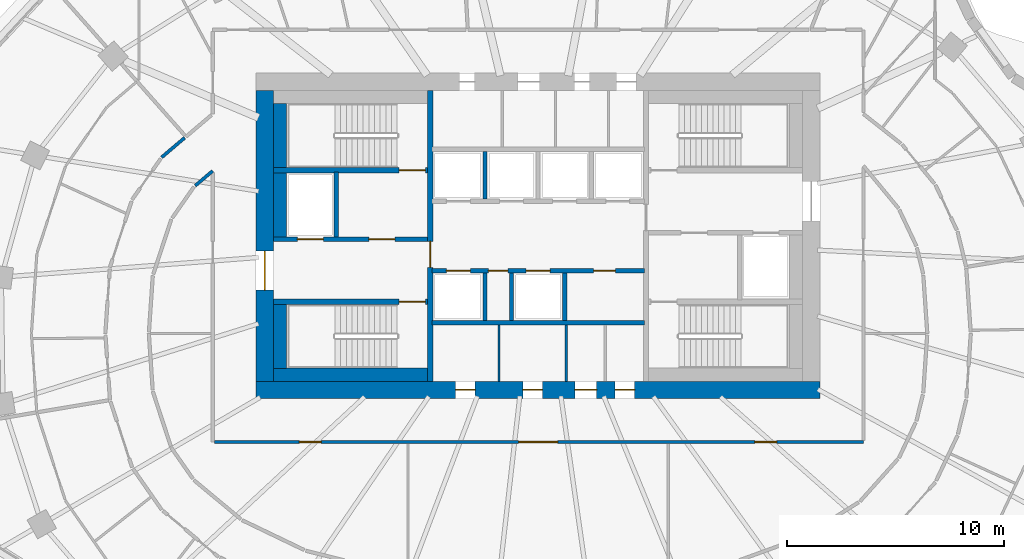
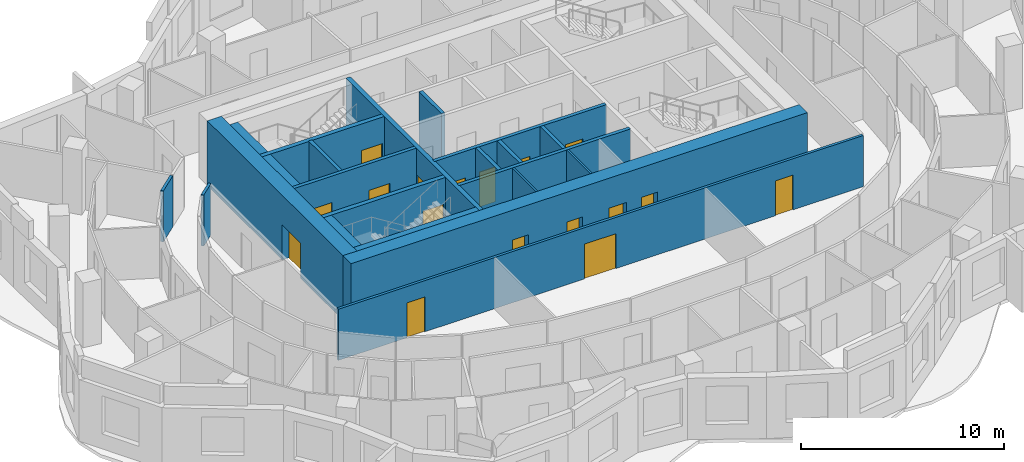
# One storey, part 5 of 12: 22 walls, 17 doors, 17 openings.
"""IFC4 building model written with IfcOpenShell, lengths in metres."""

from ifc_helpers import new_model, si_unit, direction, frame, frame_2d, origin, place, context, subcontext, project, spatial, rectangle, extrude, material, layer, layer_set, type_object, element, fill, save


model = new_model("IFC4")

# Units and contexts
model_context = context("Model", 3, precision=1e-05, world=origin(), true_north=direction((0.0, 1.0)))
body_context = subcontext(model_context, "Body", "Model", "MODEL_VIEW")
ifc_project = project(units=[si_unit("LENGTHUNIT", "METRE"), si_unit("AREAUNIT", "SQUARE_METRE"), si_unit("VOLUMEUNIT", "CUBIC_METRE"), si_unit("PLANEANGLEUNIT", "RADIAN"), si_unit("MASSUNIT", "GRAM", prefix="KILO")], contexts=[model_context])

# Site, building, storey
site_placement = place(None, origin())
site = spatial("IfcSite", under=ifc_project, at=site_placement, CompositionType="ELEMENT")
building_placement = place(site_placement, origin())
building = spatial("IfcBuilding", under=site, at=building_placement, Name="Rubra Terraces Tower", CompositionType="ELEMENT")
storey_placement = place(building_placement, frame((0.0, 0.0, 201.300048828125)))
storey = spatial("IfcBuildingStorey", under=building, at=storey_placement, Name="L49", CompositionType="ELEMENT", Elevation=201.300048828125)

# Wall, openings, doors
ifc_material_1 = material(Name="Concrete C50", Category="concrete")
ifc_layer_1 = layer(ifc_material_1, 0.800048828125)
ifc_layer_set_1 = layer_set([ifc_layer_1], Name="Concrete C50")
wall_type_1 = type_object("IfcWallType", Name="CORE WALL 800 C50", PredefinedType="SHEAR", material=ifc_layer_set_1)
wall_1_placement = place(storey_placement, frame((-13.0, -2.60009765625, 0.0), z_axis=(0.0, 0.0, 1.0), x_axis=(1.0, 0.0, 0.0)))
wall_1 = element("IfcWall", 1, at=wall_1_placement, inside=storey, type_object=wall_type_1, Name="CORE WALL S L49", PredefinedType="SHEAR", context=body_context, shape_type="SweptSolid", body=[
    extrude(rectangle(XDim=26.0, YDim=0.800048828125, at=frame_2d((13.0, 0.0))), origin(), (0.0, 0.0, 1.0), 3.89990234375),
])
opening_1_placement = place(wall_1_placement, frame((9.199951171875, 0.0, 0.0)))
opening_1 = element("IfcOpeningElement", 2, at=opening_1_placement, cuts=wall_1, Name="Opening L49.C21", PredefinedType="OPENING", context=body_context, shape_type="SweptSolid", body=[
    extrude(rectangle(XDim=0.89990234375, YDim=2.10009765625, at=frame_2d((0.449951171875, 1.050048828125))), frame((0.0, 0.409912109375, 0.0), z_axis=(0.0, -1.0, 0.0), x_axis=(1.0, 0.0, 0.0)), (0.0, 0.0, 1.0), 0.820068359375),
])
opening_2_placement = place(wall_1_placement, frame((12.300048828125, 0.0, 0.0)))
opening_2 = element("IfcOpeningElement", 3, at=opening_2_placement, cuts=wall_1, Name="Opening L49.C22", PredefinedType="OPENING", context=body_context, shape_type="SweptSolid", body=[
    extrude(rectangle(XDim=0.89990234375, YDim=2.10009765625, at=frame_2d((0.449951171875, 1.050048828125))), frame((0.0, 0.409912109375, 0.0), z_axis=(0.0, -1.0, 0.0), x_axis=(1.0, 0.0, 0.0)), (0.0, 0.0, 1.0), 0.820068359375),
])
opening_3_placement = place(wall_1_placement, frame((14.699951171875, 0.0, 0.0)))
opening_3 = element("IfcOpeningElement", 4, at=opening_3_placement, cuts=wall_1, Name="Opening L49.C23", PredefinedType="OPENING", context=body_context, shape_type="SweptSolid", body=[
    extrude(rectangle(XDim=1.0, YDim=2.10009765625, at=frame_2d((0.5, 1.050048828125))), frame((0.0, 0.409912109375, 0.0), z_axis=(0.0, -1.0, 0.0), x_axis=(1.0, 0.0, 0.0)), (0.0, 0.0, 1.0), 0.820068359375),
])
opening_4_placement = place(wall_1_placement, frame((16.550048828125, 0.0, 0.0)))
opening_4 = element("IfcOpeningElement", 5, at=opening_4_placement, cuts=wall_1, Name="Opening L49.C24", PredefinedType="OPENING", context=body_context, shape_type="SweptSolid", body=[
    extrude(rectangle(XDim=0.89990234375, YDim=2.10009765625, at=frame_2d((0.449951171875, 1.050048828125))), frame((0.0, 0.409912109375, 0.0), z_axis=(0.0, -1.0, 0.0), x_axis=(1.0, 0.0, 0.0)), (0.0, 0.0, 1.0), 0.820068359375),
])
ifc_material_2 = material(Name="Painted steel", Category="steel")
door_type_1 = type_object("IfcDoorType", Name="Fire door 1000x2100 single", OperationType="NOTDEFINED", PredefinedType="DOOR", material=ifc_material_2)
door_1_placement = place(opening_3_placement, origin())
door_1 = element("IfcDoor", 6, at=door_1_placement, inside=storey, type_object=door_type_1, Name="Accessible WC door", OperationType="SINGLE_SWING_LEFT", OverallHeight=2.10009765625, OverallWidth=1.0, PredefinedType="DOOR", context=body_context, shape_type="SweptSolid", body=[
    extrude(rectangle(XDim=1.0, YDim=2.10009765625, at=frame_2d((0.5, 1.050048828125))), frame((0.0, 0.02490234375, 0.0), z_axis=(0.0, -1.0, 0.0), x_axis=(1.0, 0.0, 0.0)), (0.0, 0.0, 1.0), 0.050048828125),
])
fill(opening_3, door_1)
door_type_2 = type_object("IfcDoorType", Name="Fire door 900x2100 single", OperationType="NOTDEFINED", PredefinedType="DOOR", material=ifc_material_2)
door_2_placement = place(opening_1_placement, origin())
door_2 = element("IfcDoor", 7, at=door_2_placement, inside=storey, type_object=door_type_2, Name="Gents WC door", OperationType="SINGLE_SWING_LEFT", OverallHeight=2.10009765625, OverallWidth=0.89990234375, PredefinedType="DOOR", context=body_context, shape_type="SweptSolid", body=[
    extrude(rectangle(XDim=0.89990234375, YDim=2.10009765625, at=frame_2d((0.449951171875, 1.050048828125))), frame((0.0, 0.02490234375, 0.0), z_axis=(0.0, -1.0, 0.0), x_axis=(1.0, 0.0, 0.0)), (0.0, 0.0, 1.0), 0.050048828125),
])
fill(opening_1, door_2)
door_3_placement = place(opening_2_placement, origin())
door_3 = element("IfcDoor", 8, at=door_3_placement, inside=storey, type_object=door_type_2, Name="Ladies WC door", OperationType="SINGLE_SWING_RIGHT", OverallHeight=2.10009765625, OverallWidth=0.89990234375, PredefinedType="DOOR", context=body_context, shape_type="SweptSolid", body=[
    extrude(rectangle(XDim=0.89990234375, YDim=2.10009765625, at=frame_2d((0.449951171875, 1.050048828125))), frame((0.0, 0.02490234375, 0.0), z_axis=(0.0, -1.0, 0.0), x_axis=(1.0, 0.0, 0.0)), (0.0, 0.0, 1.0), 0.050048828125),
])
fill(opening_2, door_3)
door_4_placement = place(opening_4_placement, origin())
door_4 = element("IfcDoor", 9, at=door_4_placement, inside=storey, type_object=door_type_2, Name="Cleaner's store door", OperationType="SINGLE_SWING_RIGHT", OverallHeight=2.10009765625, OverallWidth=0.89990234375, PredefinedType="DOOR", context=body_context, shape_type="SweptSolid", body=[
    extrude(rectangle(XDim=0.89990234375, YDim=2.10009765625, at=frame_2d((0.449951171875, 1.050048828125))), frame((0.0, 0.02490234375, 0.0), z_axis=(0.0, -1.0, 0.0), x_axis=(1.0, 0.0, 0.0)), (0.0, 0.0, 1.0), 0.050048828125),
])
fill(opening_4, door_4)

# Wall, opening, door
wall_2_placement = place(storey_placement, frame((-12.60009765625, -2.199951171875, 0.0), z_axis=(0.0, 0.0, 1.0), x_axis=(0.0, 1.0, 0.0)))
wall_2 = element("IfcWall", 10, at=wall_2_placement, inside=storey, type_object=wall_type_1, Name="CORE WALL W L49", PredefinedType="SHEAR", context=body_context, shape_type="SweptSolid", body=[
    extrude(rectangle(XDim=13.39990234375, YDim=0.800048828125, at=frame_2d((6.699951171875, 0.0))), origin(), (0.0, 0.0, 1.0), 3.89990234375),
])
opening_5_placement = place(wall_2_placement, frame((4.199951171875, 0.0, 0.0)))
opening_5 = element("IfcOpeningElement", 11, at=opening_5_placement, cuts=wall_2, Name="Opening L49.C01", PredefinedType="OPENING", context=body_context, shape_type="SweptSolid", body=[
    extrude(rectangle(XDim=1.800048828125, YDim=2.10009765625, at=frame_2d((0.89990234375, 1.050048828125))), frame((0.0, 0.409912109375, 0.0), z_axis=(0.0, -1.0, 0.0), x_axis=(1.0, 0.0, 0.0)), (0.0, 0.0, 1.0), 0.820068359375),
])
door_type_3 = type_object("IfcDoorType", Name="Fire door 1800x2100 double", OperationType="NOTDEFINED", PredefinedType="DOOR", material=ifc_material_2)
door_5_placement = place(opening_5_placement, origin())
door_5 = element("IfcDoor", 12, at=door_5_placement, inside=storey, type_object=door_type_3, Name="Core entrance door FF1", OperationType="DOUBLE_DOOR_SINGLE_SWING", OverallHeight=2.10009765625, OverallWidth=1.800048828125, PredefinedType="DOOR", context=body_context, shape_type="SweptSolid", body=[
    extrude(rectangle(XDim=1.800048828125, YDim=2.10009765625, at=frame_2d((0.89990234375, 1.050048828125))), frame((0.0, 0.02490234375, 0.0), z_axis=(0.0, -1.0, 0.0), x_axis=(1.0, 0.0, 0.0)), (0.0, 0.0, 1.0), 0.050048828125),
])
fill(opening_5, door_5)

# Walls
ifc_material_3 = material(Name="Plasterboard on steel stud, mineral wool infill", Category="steel")
ifc_layer_2 = layer(ifc_material_3, 0.14990234375)
ifc_layer_set_2 = layer_set([ifc_layer_2], Name="Plasterboard on steel stud, mineral wool infill")
wall_type_2 = type_object("IfcWallType", Name="CORRIDOR PARTITION 150", PredefinedType="PARTITIONING", material=ifc_layer_set_2)
wall_3_placement = place(storey_placement, frame((-16.2900390625, 9.026611328125, 0.0), z_axis=(0.0, 0.0, 1.0), x_axis=(-0.762370577706, -0.647140712865, 0.0)))
element("IfcWall", 13, at=wall_3_placement, inside=storey, type_object=wall_type_2, Name="PARTITION", PredefinedType="PARTITIONING", context=body_context, shape_type="SweptSolid", body=[
    extrude(rectangle(XDim=1.396240234375, YDim=0.14990234375, at=frame_2d((0.6982421875, 0.0))), origin(), (0.0, 0.0, 1.0), 3.083984375),
])
wall_4_placement = place(storey_placement, frame((-15.805419921875, 6.814453125, 0.0), z_axis=(0.0, 0.0, 1.0), x_axis=(0.762298381233, 0.647225755027, 0.0)))
element("IfcWall", 14, at=wall_4_placement, inside=storey, type_object=wall_type_2, Name="PARTITION", PredefinedType="PARTITIONING", context=body_context, shape_type="SweptSolid", body=[
    extrude(rectangle(XDim=1.056640625, YDim=0.14990234375, at=frame_2d((0.5283203125, 0.0))), origin(), (0.0, 0.0, 1.0), 3.083984375),
])

# Wall, openings, doors
wall_5_placement = place(storey_placement, frame((-14.925048828125, -5.0, 0.0), z_axis=(0.0, 0.0, 1.0), x_axis=(1.0, 0.0, 0.0)))
wall_5 = element("IfcWall", 15, at=wall_5_placement, inside=storey, type_object=wall_type_2, Name="PARTITION", PredefinedType="PARTITIONING", context=body_context, shape_type="SweptSolid", body=[
    extrude(rectangle(XDim=29.925048828125, YDim=0.14990234375, at=frame_2d((14.96240234375, 0.0))), origin(), (0.0, 0.0, 1.0), 3.083984375),
])
opening_6_placement = place(wall_5_placement, frame((3.925048828125, 0.0, 0.0)))
opening_6 = element("IfcOpeningElement", 16, at=opening_6_placement, cuts=wall_5, Name="Opening 49-133", PredefinedType="OPENING", context=body_context, shape_type="SweptSolid", body=[
    extrude(rectangle(XDim=1.0, YDim=2.10009765625, at=frame_2d((0.5, 1.050048828125))), frame((0.0, 0.0849609375, 0.0), z_axis=(0.0, -1.0, 0.0), x_axis=(1.0, 0.0, 0.0)), (0.0, 0.0, 1.0), 0.169921875),
])
opening_7_placement = place(wall_5_placement, frame((14.02490234375, 0.0, 0.0)))
opening_7 = element("IfcOpeningElement", 17, at=opening_7_placement, cuts=wall_5, Name="Opening 49-134", PredefinedType="OPENING", context=body_context, shape_type="SweptSolid", body=[
    extrude(rectangle(XDim=1.800048828125, YDim=2.10009765625, at=frame_2d((0.89990234375, 1.050048828125))), frame((0.0, 0.0849609375, 0.0), z_axis=(0.0, -1.0, 0.0), x_axis=(1.0, 0.0, 0.0)), (0.0, 0.0, 1.0), 0.169921875),
])
opening_8_placement = place(wall_5_placement, frame((24.925048828125, 0.0, 0.0)))
opening_8 = element("IfcOpeningElement", 18, at=opening_8_placement, cuts=wall_5, Name="Opening 49-135", PredefinedType="OPENING", context=body_context, shape_type="SweptSolid", body=[
    extrude(rectangle(XDim=1.0, YDim=2.10009765625, at=frame_2d((0.5, 1.050048828125))), frame((0.0, 0.0849609375, 0.0), z_axis=(0.0, -1.0, 0.0), x_axis=(1.0, 0.0, 0.0)), (0.0, 0.0, 1.0), 0.169921875),
])
ifc_material_4 = material(Name="Painted timber door leaf", Category="wood")
door_type_4 = type_object("IfcDoorType", Name="ROOM DOOR 1000 X 2100", OperationType="SINGLE_SWING_LEFT", PredefinedType="DOOR", material=ifc_material_4)
door_6_placement = place(opening_6_placement, origin())
door_6 = element("IfcDoor", 19, at=door_6_placement, inside=storey, type_object=door_type_4, Name="DOOR 49-133", OperationType="SINGLE_SWING_RIGHT", OverallHeight=2.10009765625, OverallWidth=1.0, PredefinedType="DOOR", context=body_context, shape_type="SweptSolid", body=[
    extrude(rectangle(XDim=1.0, YDim=2.10009765625, at=frame_2d((0.5, 1.050048828125))), frame((0.0, 0.02490234375, 0.0), z_axis=(0.0, -1.0, 0.0), x_axis=(1.0, 0.0, 0.0)), (0.0, 0.0, 1.0), 0.050048828125),
])
fill(opening_6, door_6)
door_7_placement = place(opening_8_placement, origin())
door_7 = element("IfcDoor", 20, at=door_7_placement, inside=storey, type_object=door_type_4, Name="DOOR 49-135", OperationType="SINGLE_SWING_RIGHT", OverallHeight=2.10009765625, OverallWidth=1.0, PredefinedType="DOOR", context=body_context, shape_type="SweptSolid", body=[
    extrude(rectangle(XDim=1.0, YDim=2.10009765625, at=frame_2d((0.5, 1.050048828125))), frame((0.0, 0.02490234375, 0.0), z_axis=(0.0, -1.0, 0.0), x_axis=(1.0, 0.0, 0.0)), (0.0, 0.0, 1.0), 0.050048828125),
])
fill(opening_8, door_7)
ifc_material_5 = material(Name="Painted timber door leaf, double", Category="wood")
door_type_5 = type_object("IfcDoorType", Name="ROOM DOUBLE DOOR 1800 X 2100", OperationType="DOUBLE_DOOR_SINGLE_SWING", PredefinedType="DOOR", material=ifc_material_5)
door_8_placement = place(opening_7_placement, origin())
door_8 = element("IfcDoor", 21, at=door_8_placement, inside=storey, type_object=door_type_5, Name="DOOR 49-134", OperationType="DOUBLE_DOOR_SINGLE_SWING", OverallHeight=2.10009765625, OverallWidth=1.800048828125, PredefinedType="DOOR", context=body_context, shape_type="SweptSolid", body=[
    extrude(rectangle(XDim=1.800048828125, YDim=2.10009765625, at=frame_2d((0.89990234375, 1.050048828125))), frame((0.0, 0.02490234375, 0.0), z_axis=(0.0, -1.0, 0.0), x_axis=(1.0, 0.0, 0.0)), (0.0, 0.0, 1.0), 0.050048828125),
])
fill(opening_7, door_8)

# Walls
ifc_material_6 = material(Name="Concrete C40", Category="concrete")
ifc_layer_3 = layer(ifc_material_6, 0.60009765625)
ifc_layer_set_3 = layer_set([ifc_layer_3], Name="Concrete C40")
wall_type_3 = type_object("IfcWallType", Name="Core lining wall 600 concrete", PredefinedType="SOLIDWALL", material=ifc_layer_set_3)
wall_6_placement = place(storey_placement, frame((-12.199951171875, -1.89990234375, 0.0), z_axis=(0.0, 0.0, 1.0), x_axis=(1.0, 0.0, 0.0)))
element("IfcWall", 22, at=wall_6_placement, inside=storey, type_object=wall_type_3, Name="CORE LINING WALL L49", PredefinedType="SOLIDWALL", context=body_context, shape_type="SweptSolid", body=[
    extrude(rectangle(XDim=7.099853515625, YDim=0.60009765625, at=frame_2d((3.5498046875, 0.0))), origin(), (0.0, 0.0, 1.0), 3.699951171875),
])
wall_7_placement = place(storey_placement, frame((-11.89990234375, -1.60009765625, 0.0), z_axis=(0.0, 0.0, 1.0), x_axis=(0.0, 1.0, 0.0)))
element("IfcWall", 23, at=wall_7_placement, inside=storey, type_object=wall_type_3, Name="CORE LINING WALL L49", PredefinedType="SOLIDWALL", context=body_context, shape_type="SweptSolid", body=[
    extrude(rectangle(XDim=2.9501953125, YDim=0.60009765625, at=frame_2d((1.47509765625, 0.0))), origin(), (0.0, 0.0, 1.0), 3.699951171875),
])
wall_8_placement = place(storey_placement, frame((-11.89990234375, 4.449951171875, 0.0), z_axis=(0.0, 0.0, 1.0), x_axis=(0.0, 1.0, 0.0)))
element("IfcWall", 24, at=wall_8_placement, inside=storey, type_object=wall_type_3, Name="CORE LINING WALL L49", PredefinedType="SOLIDWALL", context=body_context, shape_type="SweptSolid", body=[
    extrude(rectangle(XDim=3.0, YDim=0.60009765625, at=frame_2d((1.5, 0.0))), origin(), (0.0, 0.0, 1.0), 3.699951171875),
])
wall_9_placement = place(storey_placement, frame((-11.89990234375, 7.64990234375, 0.0), z_axis=(0.0, 0.0, 1.0), x_axis=(0.0, 1.0, 0.0)))
element("IfcWall", 25, at=wall_9_placement, inside=storey, type_object=wall_type_3, Name="CORE LINING WALL L49", PredefinedType="SOLIDWALL", context=body_context, shape_type="SweptSolid", body=[
    extrude(rectangle(XDim=2.9501953125, YDim=0.60009765625, at=frame_2d((1.47509765625, 0.0))), origin(), (0.0, 0.0, 1.0), 3.699951171875),
])

# Wall, openings, doors
ifc_material_7 = material(Name="Concrete C30", Category="concrete")
ifc_layer_4 = layer(ifc_material_7, 0.199951171875)
ifc_layer_set_4 = layer_set([ifc_layer_4], Name="Concrete C30")
wall_type_4 = type_object("IfcWallType", Name="Core wall 200 concrete", PredefinedType="SOLIDWALL", material=ifc_layer_set_4)
wall_10_placement = place(storey_placement, frame((-12.199951171875, 4.35009765625, 0.0), z_axis=(0.0, 0.0, 1.0), x_axis=(1.0, 0.0, 0.0)))
wall_10 = element("IfcWall", 26, at=wall_10_placement, inside=storey, type_object=wall_type_4, Name="STAIR WALL L49", PredefinedType="SOLIDWALL", context=body_context, shape_type="SweptSolid", body=[
    extrude(rectangle(XDim=7.099853515625, YDim=0.199951171875, at=frame_2d((3.5498046875, 0.0))), origin(), (0.0, 0.0, 1.0), 3.699951171875),
])
opening_9_placement = place(wall_10_placement, frame((4.39990234375, 0.0, 0.0)))
opening_9 = element("IfcOpeningElement", 27, at=opening_9_placement, cuts=wall_10, Name="Opening L49.C05", PredefinedType="OPENING", context=body_context, shape_type="SweptSolid", body=[
    extrude(rectangle(XDim=1.199951171875, YDim=2.10009765625, at=frame_2d((0.60009765625, 1.050048828125))), frame((0.0, 0.10986328125, 0.0), z_axis=(0.0, -1.0, 0.0), x_axis=(1.0, 0.0, 0.0)), (0.0, 0.0, 1.0), 0.219970703125),
])
opening_10_placement = place(wall_10_placement, frame((1.10009765625, 0.0, 0.0)))
opening_10 = element("IfcOpeningElement", 28, at=opening_10_placement, cuts=wall_10, Name="Opening L49.C11", PredefinedType="OPENING", context=body_context, shape_type="SweptSolid", body=[
    extrude(rectangle(XDim=1.199951171875, YDim=2.10009765625, at=frame_2d((0.60009765625, 1.050048828125))), frame((0.0, 0.10986328125, 0.0), z_axis=(0.0, -1.0, 0.0), x_axis=(1.0, 0.0, 0.0)), (0.0, 0.0, 1.0), 0.219970703125),
])
door_type_6 = type_object("IfcDoorType", Name="Fire door 1200x2100 single", OperationType="NOTDEFINED", PredefinedType="DOOR", material=ifc_material_2)
door_9_placement = place(opening_9_placement, origin())
door_9 = element("IfcDoor", 29, at=door_9_placement, inside=storey, type_object=door_type_6, Name="Stair vestibule door S2", OperationType="SINGLE_SWING_LEFT", OverallHeight=2.10009765625, OverallWidth=1.199951171875, PredefinedType="DOOR", context=body_context, shape_type="SweptSolid", body=[
    extrude(rectangle(XDim=1.199951171875, YDim=2.10009765625, at=frame_2d((0.60009765625, 1.050048828125))), frame((0.0, 0.02490234375, 0.0), z_axis=(0.0, -1.0, 0.0), x_axis=(1.0, 0.0, 0.0)), (0.0, 0.0, 1.0), 0.050048828125),
])
fill(opening_9, door_9)
ifc_material_8 = material(Name="Stainless steel", Category="steel")
door_type_7 = type_object("IfcDoorType", Name="Lift landing door 1200x2100", OperationType="NOTDEFINED", PredefinedType="DOOR", material=ifc_material_8)
door_10_placement = place(opening_10_placement, origin())
door_10 = element("IfcDoor", 30, at=door_10_placement, inside=storey, type_object=door_type_7, Name="Landing door FF1", OperationType="SLIDING_TO_RIGHT", OverallHeight=2.10009765625, OverallWidth=1.199951171875, PredefinedType="DOOR", context=body_context, shape_type="SweptSolid", body=[
    extrude(rectangle(XDim=1.199951171875, YDim=2.10009765625, at=frame_2d((0.60009765625, 1.050048828125))), frame((0.0, 0.02490234375, 0.0), z_axis=(0.0, -1.0, 0.0), x_axis=(1.0, 0.0, 0.0)), (0.0, 0.0, 1.0), 0.050048828125),
])
fill(opening_10, door_10)

# Walls
wall_11_placement = place(storey_placement, frame((-9.300048828125, 4.449951171875, 0.0), z_axis=(0.0, 0.0, 1.0), x_axis=(0.0, 1.0, 0.0)))
element("IfcWall", 31, at=wall_11_placement, inside=storey, type_object=wall_type_4, Name="STAIR WALL L49", PredefinedType="SOLIDWALL", context=body_context, shape_type="SweptSolid", body=[
    extrude(rectangle(XDim=3.0, YDim=0.199951171875, at=frame_2d((1.5, 0.0))), origin(), (0.0, 0.0, 1.0), 3.699951171875),
])
wall_12_placement = place(storey_placement, frame((-4.89990234375, 0.5, 0.0), z_axis=(0.0, 0.0, 1.0), x_axis=(1.0, 0.0, 0.0)))
element("IfcWall", 32, at=wall_12_placement, inside=storey, type_object=wall_type_4, Name="LIFT SHAFT WALL L49", PredefinedType="SOLIDWALL", context=body_context, shape_type="SweptSolid", body=[
    extrude(rectangle(XDim=9.7998046875, YDim=0.199951171875, at=frame_2d((4.89990234375, 0.0))), origin(), (0.0, 0.0, 1.0), 3.699951171875),
])

# Wall, openings, doors
wall_13_placement = place(storey_placement, frame((-4.89990234375, 2.89990234375, 0.0), z_axis=(0.0, 0.0, 1.0), x_axis=(1.0, 0.0, 0.0)))
wall_13 = element("IfcWall", 33, at=wall_13_placement, inside=storey, type_object=wall_type_4, Name="LIFT SHAFT WALL L49", PredefinedType="SOLIDWALL", context=body_context, shape_type="SweptSolid", body=[
    extrude(rectangle(XDim=9.7998046875, YDim=0.199951171875, at=frame_2d((4.89990234375, 0.0))), origin(), (0.0, 0.0, 1.0), 3.699951171875),
])
opening_11_placement = place(wall_13_placement, frame((0.675048828125, 0.0, 0.0)))
opening_11 = element("IfcOpeningElement", 34, at=opening_11_placement, cuts=wall_13, Name="Opening L49.C13", PredefinedType="OPENING", context=body_context, shape_type="SweptSolid", body=[
    extrude(rectangle(XDim=1.10009765625, YDim=2.10009765625, at=frame_2d((0.550048828125, 1.050048828125))), frame((0.0, 0.10986328125, 0.0), z_axis=(0.0, -1.0, 0.0), x_axis=(1.0, 0.0, 0.0)), (0.0, 0.0, 1.0), 0.219970703125),
])
opening_12_placement = place(wall_13_placement, frame((2.613037109375, 0.0, 0.0)))
opening_12 = element("IfcOpeningElement", 35, at=opening_12_placement, cuts=wall_13, Name="Opening L49.C14", PredefinedType="OPENING", context=body_context, shape_type="SweptSolid", body=[
    extrude(rectangle(XDim=0.89990234375, YDim=2.10009765625, at=frame_2d((0.449951171875, 1.050048828125))), frame((0.0, 0.10986328125, 0.0), z_axis=(0.0, -1.0, 0.0), x_axis=(1.0, 0.0, 0.0)), (0.0, 0.0, 1.0), 0.219970703125),
])
opening_13_placement = place(wall_13_placement, frame((4.35009765625, 0.0, 0.0)))
opening_13 = element("IfcOpeningElement", 36, at=opening_13_placement, cuts=wall_13, Name="Opening L49.C15", PredefinedType="OPENING", context=body_context, shape_type="SweptSolid", body=[
    extrude(rectangle(XDim=1.10009765625, YDim=2.10009765625, at=frame_2d((0.550048828125, 1.050048828125))), frame((0.0, 0.10986328125, 0.0), z_axis=(0.0, -1.0, 0.0), x_axis=(1.0, 0.0, 0.0)), (0.0, 0.0, 1.0), 0.219970703125),
])
opening_14_placement = place(wall_13_placement, frame((7.462890625, 0.0, 0.0)))
opening_14 = element("IfcOpeningElement", 37, at=opening_14_placement, cuts=wall_13, Name="Opening L49.C16", PredefinedType="OPENING", context=body_context, shape_type="SweptSolid", body=[
    extrude(rectangle(XDim=1.0, YDim=2.10009765625, at=frame_2d((0.5, 1.050048828125))), frame((0.0, 0.10986328125, 0.0), z_axis=(0.0, -1.0, 0.0), x_axis=(1.0, 0.0, 0.0)), (0.0, 0.0, 1.0), 0.219970703125),
])
door_11_placement = place(opening_14_placement, origin())
door_11 = element("IfcDoor", 38, at=door_11_placement, inside=storey, type_object=door_type_1, Name="Guest pantry door", OperationType="SINGLE_SWING_RIGHT", OverallHeight=2.10009765625, OverallWidth=1.0, PredefinedType="DOOR", context=body_context, shape_type="SweptSolid", body=[
    extrude(rectangle(XDim=1.0, YDim=2.10009765625, at=frame_2d((0.5, 1.050048828125))), frame((0.0, 0.02490234375, 0.0), z_axis=(0.0, -1.0, 0.0), x_axis=(1.0, 0.0, 0.0)), (0.0, 0.0, 1.0), 0.050048828125),
])
fill(opening_14, door_11)
door_12_placement = place(opening_12_placement, origin())
door_12 = element("IfcDoor", 39, at=door_12_placement, inside=storey, type_object=door_type_2, Name="Cleaner's store door", OperationType="SINGLE_SWING_RIGHT", OverallHeight=2.10009765625, OverallWidth=0.89990234375, PredefinedType="DOOR", context=body_context, shape_type="SweptSolid", body=[
    extrude(rectangle(XDim=0.89990234375, YDim=2.10009765625, at=frame_2d((0.449951171875, 1.050048828125))), frame((0.0, 0.02490234375, 0.0), z_axis=(0.0, -1.0, 0.0), x_axis=(1.0, 0.0, 0.0)), (0.0, 0.0, 1.0), 0.050048828125),
])
fill(opening_12, door_12)
door_type_8 = type_object("IfcDoorType", Name="Lift landing door 1100x2100", OperationType="NOTDEFINED", PredefinedType="DOOR", material=ifc_material_8)
door_13_placement = place(opening_11_placement, origin())
door_13 = element("IfcDoor", 40, at=door_13_placement, inside=storey, type_object=door_type_8, Name="Landing door HB1", OperationType="SLIDING_TO_RIGHT", OverallHeight=2.10009765625, OverallWidth=1.10009765625, PredefinedType="DOOR", context=body_context, shape_type="SweptSolid", body=[
    extrude(rectangle(XDim=1.10009765625, YDim=2.10009765625, at=frame_2d((0.550048828125, 1.050048828125))), frame((0.0, 0.02490234375, 0.0), z_axis=(0.0, -1.0, 0.0), x_axis=(1.0, 0.0, 0.0)), (0.0, 0.0, 1.0), 0.050048828125),
])
fill(opening_11, door_13)
door_14_placement = place(opening_13_placement, origin())
door_14 = element("IfcDoor", 41, at=door_14_placement, inside=storey, type_object=door_type_8, Name="Landing door HB2", OperationType="SLIDING_TO_LEFT", OverallHeight=2.10009765625, OverallWidth=1.10009765625, PredefinedType="DOOR", context=body_context, shape_type="SweptSolid", body=[
    extrude(rectangle(XDim=1.10009765625, YDim=2.10009765625, at=frame_2d((0.550048828125, 1.050048828125))), frame((0.0, 0.02490234375, 0.0), z_axis=(0.0, -1.0, 0.0), x_axis=(1.0, 0.0, 0.0)), (0.0, 0.0, 1.0), 0.050048828125),
])
fill(opening_13, door_14)

# Walls
for number, where, z_axis, x_axis, name in (
    (42, (-2.449951171875, 0.60009765625, 0.0), (0.0, 0.0, 1.0), (0.0, 1.0, 0.0), "LIFT SHAFT WALL L49"),
    (43, (-1.22509765625, 0.60009765625, 0.0), (0.0, 0.0, 1.0), (0.0, 1.0, 0.0), "LIFT SHAFT WALL L49"),
    (44, (1.22509765625, 0.60009765625, 0.0), (0.0, 0.0, 1.0), (0.0, 1.0, 0.0), "LIFT SHAFT WALL L49"),
    (45, (-2.449951171875, 6.199951171875, 0.0), (0.0, 0.0, 1.0), (0.0, 1.0, 0.0), "LIFT SHAFT WALL L49"),
):
    element("IfcWall", number, at=place(storey_placement, frame(where, z_axis=z_axis, x_axis=x_axis)), inside=storey, type_object=wall_type_4, Name=name, PredefinedType="SOLIDWALL", context=body_context, shape_type="SweptSolid", body=[
        extrude(rectangle(XDim=2.199951171875, YDim=0.199951171875, at=frame_2d((1.10009765625, 0.0))), origin(), (0.0, 0.0, 1.0), 3.699951171875),
    ])
ifc_material_9 = material(Name="Blockwork", Category="masonry")
ifc_layer_5 = layer(ifc_material_9, 0.10009765625)
ifc_layer_set_5 = layer_set([ifc_layer_5], Name="Blockwork")
wall_type_5 = type_object("IfcWallType", Name="Service partition 100 blockwork", PredefinedType="PARTITIONING", material=ifc_layer_set_5)
for number, where, z_axis, x_axis, name in (
    (46, (-1.800048828125, -2.199951171875, 0.0), (0.0, 0.0, 1.0), (0.0, 1.0, 0.0), "SERVICE ROOM PARTITION L49"),
    (47, (1.300048828125, -2.199951171875, 0.0), (0.0, 0.0, 1.0), (0.0, 1.0, 0.0), "SERVICE ROOM PARTITION L49"),
):
    element("IfcWall", number, at=place(storey_placement, frame(where, z_axis=z_axis, x_axis=x_axis)), inside=storey, type_object=wall_type_5, Name=name, PredefinedType="PARTITIONING", context=body_context, shape_type="SweptSolid", body=[
        extrude(rectangle(XDim=2.599853515625, YDim=0.10009765625, at=frame_2d((1.2998046875, 0.0))), origin(), (0.0, 0.0, 1.0), 3.699951171875),
    ])

# Wall, opening, door
ifc_layer_6 = layer(ifc_material_6, 0.25)
ifc_layer_set_6 = layer_set([ifc_layer_6], Name="Concrete C40")
wall_type_6 = type_object("IfcWallType", Name="Stair enclosure wall 250 concrete", PredefinedType="SOLIDWALL", material=ifc_layer_set_6)
wall_14_placement = place(storey_placement, frame((-12.199951171875, 1.47509765625, 0.0), z_axis=(0.0, 0.0, 1.0), x_axis=(1.0, 0.0, 0.0)))
wall_14 = element("IfcWall", 48, at=wall_14_placement, inside=storey, type_object=wall_type_6, Name="STAIR WALL L49", PredefinedType="SOLIDWALL", context=body_context, shape_type="SweptSolid", body=[
    extrude(rectangle(XDim=7.099853515625, YDim=0.25, at=frame_2d((3.5498046875, 0.0))), origin(), (0.0, 0.0, 1.0), 3.699951171875),
])
opening_15_placement = place(wall_14_placement, frame((5.800048828125, 0.0, 0.0)))
opening_15 = element("IfcOpeningElement", 49, at=opening_15_placement, cuts=wall_14, Name="Opening L49.C07", PredefinedType="OPENING", context=body_context, shape_type="SweptSolid", body=[
    extrude(rectangle(XDim=1.199951171875, YDim=2.10009765625, at=frame_2d((0.60009765625, 1.050048828125))), frame((0.0, 0.135009765625, 0.0), z_axis=(0.0, -1.0, 0.0), x_axis=(1.0, 0.0, 0.0)), (0.0, 0.0, 1.0), 0.27001953125),
])
door_15_placement = place(opening_15_placement, origin())
door_15 = element("IfcDoor", 50, at=door_15_placement, inside=storey, type_object=door_type_6, Name="Stair door S1", OperationType="SINGLE_SWING_LEFT", OverallHeight=2.10009765625, OverallWidth=1.199951171875, PredefinedType="DOOR", context=body_context, shape_type="SweptSolid", body=[
    extrude(rectangle(XDim=1.199951171875, YDim=2.10009765625, at=frame_2d((0.60009765625, 1.050048828125))), frame((0.0, 0.02490234375, 0.0), z_axis=(0.0, -1.0, 0.0), x_axis=(1.0, 0.0, 0.0)), (0.0, 0.0, 1.0), 0.050048828125),
])
fill(opening_15, door_15)

wall_15_placement = place(storey_placement, frame((-12.199951171875, 7.52490234375, 0.0), z_axis=(0.0, 0.0, 1.0), x_axis=(1.0, 0.0, 0.0)))
wall_15 = element("IfcWall", 51, at=wall_15_placement, inside=storey, type_object=wall_type_6, Name="STAIR WALL L49", PredefinedType="SOLIDWALL", context=body_context, shape_type="SweptSolid", body=[
    extrude(rectangle(XDim=7.099853515625, YDim=0.25, at=frame_2d((3.5498046875, 0.0))), origin(), (0.0, 0.0, 1.0), 3.699951171875),
])
opening_16_placement = place(wall_15_placement, frame((5.800048828125, 0.0, 0.0)))
opening_16 = element("IfcOpeningElement", 52, at=opening_16_placement, cuts=wall_15, Name="Opening L49.C09", PredefinedType="OPENING", context=body_context, shape_type="SweptSolid", body=[
    extrude(rectangle(XDim=1.199951171875, YDim=2.10009765625, at=frame_2d((0.60009765625, 1.050048828125))), frame((0.0, 0.135009765625, 0.0), z_axis=(0.0, -1.0, 0.0), x_axis=(1.0, 0.0, 0.0)), (0.0, 0.0, 1.0), 0.27001953125),
])
door_16_placement = place(opening_16_placement, origin())
door_16 = element("IfcDoor", 53, at=door_16_placement, inside=storey, type_object=door_type_6, Name="Stair door S2", OperationType="SINGLE_SWING_LEFT", OverallHeight=2.10009765625, OverallWidth=1.199951171875, PredefinedType="DOOR", context=body_context, shape_type="SweptSolid", body=[
    extrude(rectangle(XDim=1.199951171875, YDim=2.10009765625, at=frame_2d((0.60009765625, 1.050048828125))), frame((0.0, 0.02490234375, 0.0), z_axis=(0.0, -1.0, 0.0), x_axis=(1.0, 0.0, 0.0)), (0.0, 0.0, 1.0), 0.050048828125),
])
fill(opening_16, door_16)

wall_16_placement = place(storey_placement, frame((-4.97509765625, -2.199951171875, 0.0), z_axis=(0.0, 0.0, 1.0), x_axis=(0.0, 1.0, 0.0)))
wall_16 = element("IfcWall", 54, at=wall_16_placement, inside=storey, type_object=wall_type_6, Name="CORE LOBBY WALL L49", PredefinedType="SOLIDWALL", context=body_context, shape_type="SweptSolid", body=[
    extrude(rectangle(XDim=13.39990234375, YDim=0.25, at=frame_2d((6.699951171875, 0.0))), origin(), (0.0, 0.0, 1.0), 3.699951171875),
])
opening_17_placement = place(wall_16_placement, frame((5.25, 0.0, 0.0)))
opening_17 = element("IfcOpeningElement", 55, at=opening_17_placement, cuts=wall_16, Name="Opening L49.C03", PredefinedType="OPENING", context=body_context, shape_type="SweptSolid", body=[
    extrude(rectangle(XDim=1.199951171875, YDim=2.10009765625, at=frame_2d((0.60009765625, 1.050048828125))), frame((0.0, 0.135009765625, 0.0), z_axis=(0.0, -1.0, 0.0), x_axis=(1.0, 0.0, 0.0)), (0.0, 0.0, 1.0), 0.27001953125),
])
door_17_placement = place(opening_17_placement, origin())
door_17 = element("IfcDoor", 56, at=door_17_placement, inside=storey, type_object=door_type_6, Name="Firefighting lobby door FF1", OperationType="SINGLE_SWING_LEFT", OverallHeight=2.10009765625, OverallWidth=1.199951171875, PredefinedType="DOOR", context=body_context, shape_type="SweptSolid", body=[
    extrude(rectangle(XDim=1.199951171875, YDim=2.10009765625, at=frame_2d((0.60009765625, 1.050048828125))), frame((0.0, 0.02490234375, 0.0), z_axis=(0.0, -1.0, 0.0), x_axis=(1.0, 0.0, 0.0)), (0.0, 0.0, 1.0), 0.050048828125),
])
fill(opening_17, door_17)

save(model, "model.ifc")
